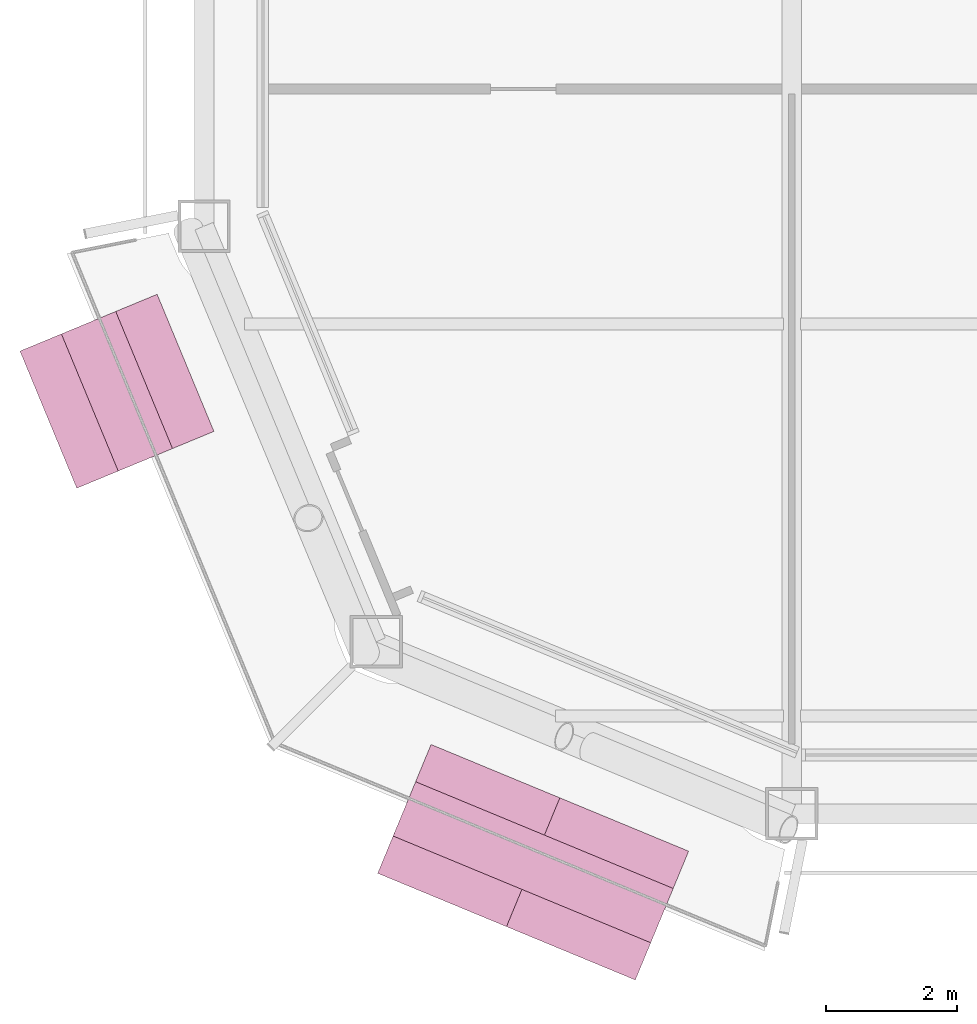
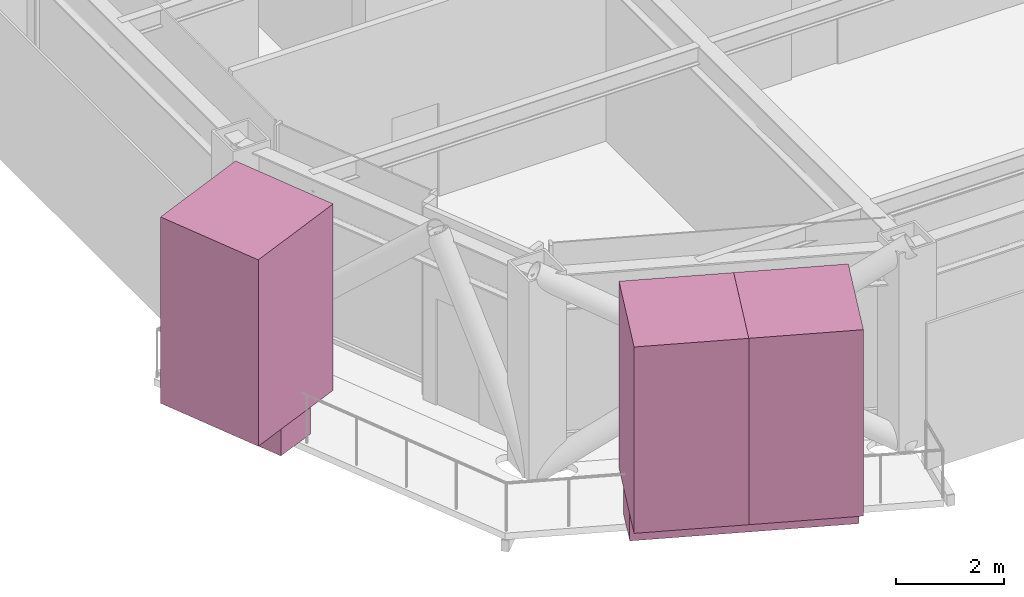
# One storey, part 23 of 23: 5 furnishings.
"""IFC4 building model written with IfcOpenShell, lengths in metres."""

from ifc_helpers import new_model, si_unit, direction, frame, origin, origin_2d, place, context, subcontext, project, spatial, rectangle, extrude, material, type_object, element, save


model = new_model("IFC4")

# Units and contexts
model_context = context("Model", 3, precision=1e-05, world=origin(), true_north=direction((0.0, 1.0)))
body_context = subcontext(model_context, "Body", "Model", "MODEL_VIEW")
ifc_project = project(units=[si_unit("LENGTHUNIT", "METRE"), si_unit("AREAUNIT", "SQUARE_METRE"), si_unit("VOLUMEUNIT", "CUBIC_METRE"), si_unit("PLANEANGLEUNIT", "RADIAN"), si_unit("MASSUNIT", "GRAM", prefix="KILO")], contexts=[model_context])

# Site, building, storey
site_placement = place(None, origin())
site = spatial("IfcSite", under=ifc_project, at=site_placement, CompositionType="ELEMENT")
building_placement = place(site_placement, origin())
building = spatial("IfcBuilding", under=site, at=building_placement, Name="Siwar Civic Tower", CompositionType="ELEMENT")
storey_placement = place(building_placement, frame((0.0, 0.0, 251.199951171875)))
storey = spatial("IfcBuildingStorey", under=building, at=storey_placement, Name="L54", CompositionType="ELEMENT", Elevation=251.199951171875)

# Furnishings
ifc_material_1 = material(Name="Planting soil and foliage")
furnishing_element_type_1 = type_object("IfcFurnishingElementType", Name="ENV-PLANTER", material=ifc_material_1)
furnishing_1_placement = place(storey_placement, frame((-28.333984375, -20.5283203125, 0.0), z_axis=(0.0, 0.0, 1.0), x_axis=(0.382683432365, -0.923879532511, 0.0)))
element("IfcFurnishingElement", 1, at=furnishing_1_placement, inside=storey, type_object=furnishing_element_type_1, Name="PLANTER SW 1", context=body_context, shape_type="SweptSolid", body=[
    extrude(rectangle(XDim=2.273193359375, YDim=0.89990234375, at=origin_2d()), origin(), (0.0, 0.0, 1.0), 0.60009765625),
])
furnishing_2_placement = place(storey_placement, frame((-21.960205078125, -27.740966796875, 0.0), z_axis=(0.0, 0.0, 1.0), x_axis=(0.923879532511, -0.382683432365, 0.0)))
element("IfcFurnishingElement", 2, at=furnishing_2_placement, inside=storey, type_object=furnishing_element_type_1, Name="PLANTER SW 2", context=body_context, shape_type="SweptSolid", body=[
    extrude(rectangle(XDim=4.270751953125, YDim=0.89990234375, at=origin_2d()), origin(), (0.0, 0.0, 1.0), 0.60009765625),
])
ifc_material_2 = material(Name="Planting soil and foliage")
furnishing_element_type_2 = type_object("IfcFurnishingElementType", Name="ENV-TREE", material=ifc_material_2)
furnishing_3_placement = place(storey_placement, frame((-28.333984375, -20.5283203125, 0.60009765625), z_axis=(0.0, 0.0, 1.0), x_axis=(0.382683432365, -0.923879532511, 0.0)))
element("IfcFurnishingElement", 3, at=furnishing_3_placement, inside=storey, type_object=furnishing_element_type_2, Name="PLANTER (TREE) SW 1.1", context=body_context, shape_type="SweptSolid", body=[
    extrude(rectangle(XDim=2.273193359375, YDim=2.273193359375, at=origin_2d()), origin(), (0.0, 0.0, 1.0), 4.199951171875),
])
for number, where, z_axis, x_axis, name in (
    (4, (-22.94677734375, -27.332275390625, 0.60009765625), (0.0, 0.0, 1.0), (0.923879532511, -0.382683432365, 0.0), "PLANTER (TREE) SW 2.1"),
    (5, (-20.973876953125, -28.1494140625, 0.60009765625), (0.0, 0.0, 1.0), (0.923879532511, -0.382683432365, 0.0), "PLANTER (TREE) SW 2.2"),
):
    element("IfcFurnishingElement", number, at=place(storey_placement, frame(where, z_axis=z_axis, x_axis=x_axis)), inside=storey, type_object=furnishing_element_type_2, Name=name, context=body_context, shape_type="SweptSolid", body=[
        extrude(rectangle(XDim=2.13525390625, YDim=2.13525390625, at=origin_2d()), origin(), (0.0, 0.0, 1.0), 4.199951171875),
    ])

save(model, "model.ifc")
